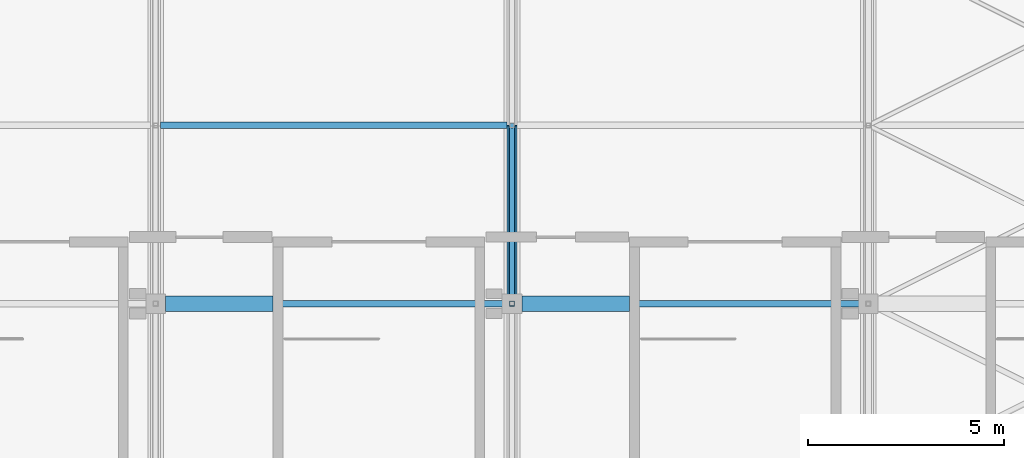
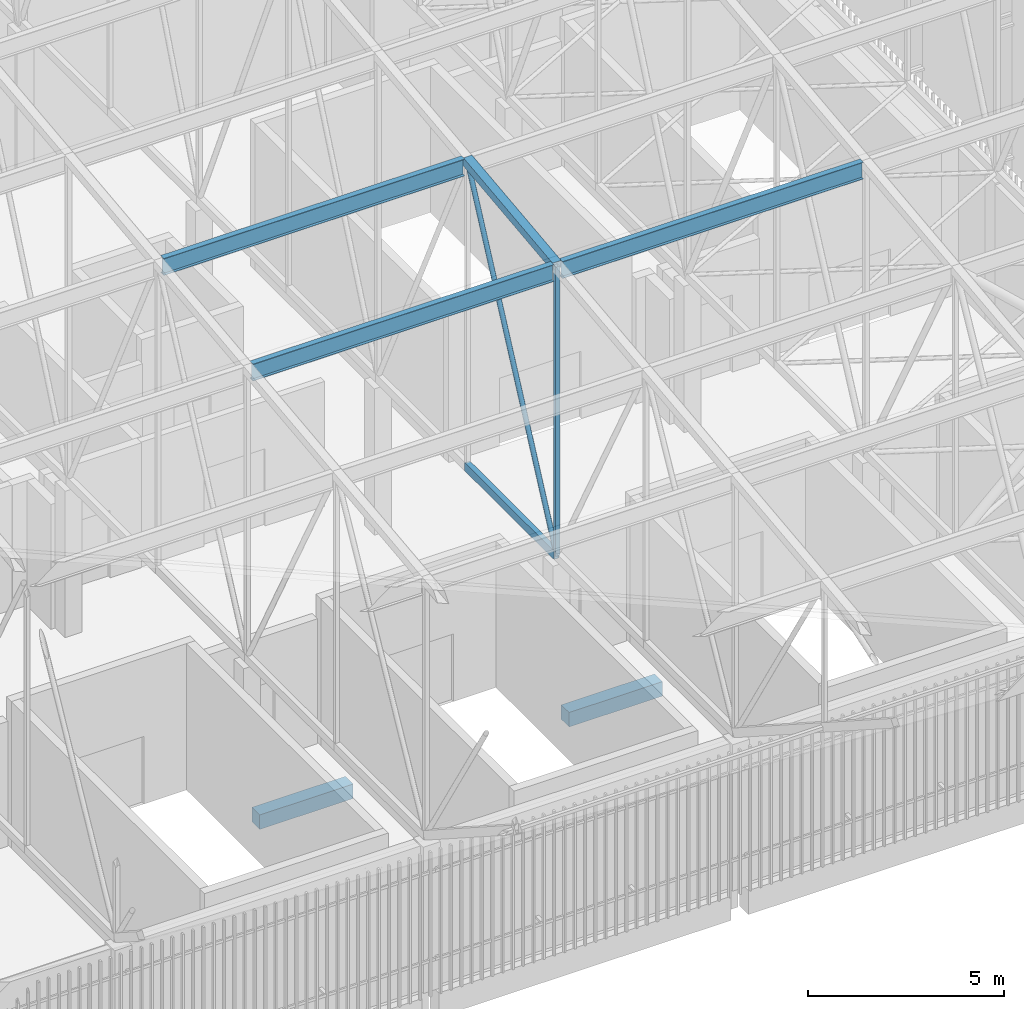
# One storey, part 336 of 500: 7 members, 2 beams.
"""IFC4 building model written with IfcOpenShell, lengths in metres."""

import ifcopenshell
import ifcopenshell.guid

model = None  # the IFC model being written
_history = None  # IfcOwnerHistory: only IFC2X3 demands one
_inside = {}  # id of a spatial element -> (the spatial element, [elements in it])
_under = {}  # id of a project, library or spatial element -> (it, [spatial elements below it])
_declared = {}  # id of a project -> (the project, [libraries it declares])
_typed = {}  # id of a type object -> (the type object, [elements of that type])
_made_of = {}  # id of a material, layer set ... -> (it, [elements and type objects made of it])


def new_model(schema):
    """Start an empty IFC model of exactly this schema.

    Asked for "IFC4X3", IfcOpenShell would pick the latest addendum, in which some entities
    have other attributes; the version numbers below select the first issue.
    IFC2X3 requires an IfcOwnerHistory on every rooted entity: one is made here for all.
    """
    global model, _history
    if schema == "IFC4X3":
        model = ifcopenshell.file(schema_version=(4, 3, 0, 0))
    else:
        model = ifcopenshell.file(schema=schema)
    _inside.clear()
    _under.clear()
    _declared.clear()
    _typed.clear()
    _made_of.clear()
    _history = None
    if model.schema == "IFC2X3":
        org = make("IfcOrganization", Name="unknown")
        user = make(
            "IfcPersonAndOrganization",
            ThePerson=make("IfcPerson", FamilyName="unknown"),
            TheOrganization=org,
        )
        app = make(
            "IfcApplication",
            ApplicationDeveloper=org,
            Version="unknown",
            ApplicationFullName="unknown",
            ApplicationIdentifier="unknown",
        )
        _history = make(
            "IfcOwnerHistory",
            OwningUser=user,
            OwningApplication=app,
            ChangeAction="ADDED",
            CreationDate=0,
        )
    return model


def make(cls, **values):
    """One entity of the class cls with the attributes given. An attribute that is None is left unset."""
    return model.create_entity(
        cls, **{name: value for name, value in values.items() if value is not None}
    )


def rooted(cls, **values):
    """An entity with a GlobalId (a new one), such as an element, a storey or a relation."""
    return make(cls, GlobalId=ifcopenshell.guid.new(), OwnerHistory=_history, **values)


def si_unit(unit_type, name, prefix=None):
    """IfcSIUnit, for example si_unit("LENGTHUNIT", "METRE", prefix="MILLI")."""
    return make("IfcSIUnit", UnitType=unit_type, Prefix=prefix, Name=name)


def assignment(units):
    """IfcUnitAssignment: the units of a project."""
    return None if units is None else make("IfcUnitAssignment", Units=units)


def point(xyz):
    """IfcCartesianPoint."""
    return None if xyz is None else make("IfcCartesianPoint", Coordinates=xyz)


def direction(xyz):
    """IfcDirection."""
    return None if xyz is None else make("IfcDirection", DirectionRatios=xyz)


def frame(location, z_axis=None, x_axis=None):
    """IfcAxis2Placement3D, a coordinate frame: its origin and axes. An axis left out is left unset."""
    return make(
        "IfcAxis2Placement3D",
        Location=point(location),
        Axis=direction(z_axis),
        RefDirection=direction(x_axis),
    )


def frame_2d(location, x_axis=None):
    """IfcAxis2Placement2D, a coordinate frame in the plane: its origin and x axis."""
    return make(
        "IfcAxis2Placement2D", Location=point(location), RefDirection=direction(x_axis)
    )


def origin():
    """The frame at (0, 0, 0) with its axes left unset."""
    return frame((0.0, 0.0, 0.0))


def origin_2d():
    """The frame at (0, 0) in the plane with its x axis left unset."""
    return frame_2d((0.0, 0.0))


def place(relative_to, where):
    """IfcLocalPlacement: puts the frame where relative to a parent placement (None: the world)."""
    return make(
        "IfcLocalPlacement", PlacementRelTo=relative_to, RelativePlacement=where
    )


def context(
    kind, dimensions, precision=None, world=None, true_north=None, identifier=None
):
    """IfcGeometricRepresentationContext, for example the 3D "Model" context."""
    return make(
        "IfcGeometricRepresentationContext",
        ContextIdentifier=identifier,
        ContextType=kind,
        CoordinateSpaceDimension=dimensions,
        Precision=precision,
        WorldCoordinateSystem=world,
        TrueNorth=true_north,
    )


def subcontext(parent, identifier, kind, view, scale=None):
    """IfcGeometricRepresentationSubContext, for example "Body" below "Model"."""
    return make(
        "IfcGeometricRepresentationSubContext",
        ContextIdentifier=identifier,
        ContextType=kind,
        ParentContext=parent,
        TargetScale=scale,
        TargetView=view,
    )


def project(units=None, contexts=None):
    """IfcProject with its units and contexts."""
    return rooted(
        "IfcProject",
        Name="project",
        RepresentationContexts=contexts,
        UnitsInContext=assignment(units),
    )


def spatial(cls, under=None, at=None, **own):
    """A site, building, storey or space (cls), placed at a placement, below another one or the project."""
    s = rooted(cls, ObjectPlacement=at, **own)
    if under is not None:
        _under.setdefault(under.id(), (under, []))[1].append(s)
    return s


def profile(cls, at=None, kind="AREA", **sizes):
    """A parametric profile (cls). Its sizes go by their IFC names, for example OverallWidth=200.0."""
    return make(cls, ProfileType=kind, Position=at, **sizes)


def rectangle(**sizes):
    """IfcRectangleProfileDef."""
    return profile("IfcRectangleProfileDef", **sizes)


def hollow_rectangle(**sizes):
    """IfcRectangleHollowProfileDef."""
    return profile("IfcRectangleHollowProfileDef", **sizes)


def hollow_circle(**sizes):
    """IfcCircleHollowProfileDef."""
    return profile("IfcCircleHollowProfileDef", **sizes)


def i_section(**sizes):
    """IfcIShapeProfileDef."""
    return profile("IfcIShapeProfileDef", **sizes)


def extrude(swept, where, along, depth):
    """IfcExtrudedAreaSolid: the profile swept, set in the frame where, extruded along a direction by depth."""
    return make(
        "IfcExtrudedAreaSolid",
        SweptArea=swept,
        Position=where,
        ExtrudedDirection=direction(along),
        Depth=depth,
    )


def shape(context_of_items, identifier, shape_type, items):
    """IfcShapeRepresentation: the items that make up one representation, for example the "Body"."""
    return make(
        "IfcShapeRepresentation",
        ContextOfItems=context_of_items,
        RepresentationIdentifier=identifier,
        RepresentationType=shape_type,
        Items=items,
    )


def material(Name=None, Category=None):
    """IfcMaterial."""
    return make("IfcMaterial", Name=Name, Category=Category)


def material_profile(
    of_material, cross_section, Name=None, Category=None, Priority=None
):
    """IfcMaterialProfile: a cross section and its material."""
    return make(
        "IfcMaterialProfile",
        Name=Name,
        Material=of_material,
        Profile=cross_section,
        Priority=Priority,
        Category=Category,
    )


def profile_set(profiles, Name=None, composite=None):
    """IfcMaterialProfileSet."""
    return make(
        "IfcMaterialProfileSet",
        Name=Name,
        MaterialProfiles=profiles,
        CompositeProfile=composite,
    )


def made_of(thing, what):
    """Note that an element or type object is made of a material, layer set ...; save() writes the relation."""
    if what is not None:
        _made_of.setdefault(what.id(), (what, []))[1].append(thing)
    return thing


def type_object(cls, material=None, **own):
    """A type object (cls), such as IfcWallType, which elements share."""
    return made_of(rooted(cls, **own), material)


def element(
    cls,
    number,
    at=None,
    inside=None,
    cuts=None,
    type_object=None,
    material=None,
    context=None,
    identifier="Body",
    shape_type=None,
    held_by="IfcProductDefinitionShape",
    body=None,
    shapes=None,
    **own,
):
    """One element of the class cls, such as IfcWall. Its Tag is "e" and its number.

    at: its placement. inside: the storey or other place that contains it. cuts: it is an
    opening in that element (IfcRelVoidsElement). A single representation is given by context,
    identifier, shape_type and body (its items); several are given by shapes. held_by: the class
    of the entity that holds the representations. save() writes the other relations.
    """
    e = rooted(cls, Tag="e%d" % number, ObjectPlacement=at, **own)
    if body is not None:
        shapes = [shape(context, identifier, shape_type, body)]
    if shapes is not None:
        e.Representation = make(held_by, Representations=shapes)
    if inside is not None:
        _inside.setdefault(inside.id(), (inside, []))[1].append(e)
    if cuts is not None:
        rooted(
            "IfcRelVoidsElement", RelatingBuildingElement=cuts, RelatedOpeningElement=e
        )
    if type_object is not None:
        _typed.setdefault(type_object.id(), (type_object, []))[1].append(e)
    return made_of(e, material)


def aggregate(whole, parts):
    """IfcRelAggregates: a whole, such as a stair, and the parts it consists of."""
    return rooted("IfcRelAggregates", RelatingObject=whole, RelatedObjects=parts)


def save(model, path):
    """Write the relations noted so far, then the file.

    IfcRelAggregates (storeys below a building ...), IfcRelContainedInSpatialStructure (elements
    in a storey), IfcRelDefinesByType, IfcRelAssociatesMaterial and IfcRelDeclares: one each for
    every whole, place, type object, material and project.
    """
    for whole, parts in _under.values():
        aggregate(whole, parts)
    for where, things in _inside.values():
        rooted(
            "IfcRelContainedInSpatialStructure",
            RelatedElements=things,
            RelatingStructure=where,
        )
    for kind, things in _typed.values():
        rooted("IfcRelDefinesByType", RelatedObjects=things, RelatingType=kind)
    for what, things in _made_of.values():
        rooted("IfcRelAssociatesMaterial", RelatedObjects=things, RelatingMaterial=what)
    for by, libraries in _declared.values():
        rooted("IfcRelDeclares", RelatingContext=by, RelatedDefinitions=libraries)
    model.write(path)


model = new_model("IFC4")

# Units and contexts
model_context = context("Model", 3, precision=1e-05, world=origin(), true_north=direction((0.0, 1.0)))
body_context = subcontext(model_context, "Body", "Model", "MODEL_VIEW")
ifc_project = project(units=[si_unit("LENGTHUNIT", "METRE"), si_unit("AREAUNIT", "SQUARE_METRE"), si_unit("VOLUMEUNIT", "CUBIC_METRE"), si_unit("PLANEANGLEUNIT", "RADIAN"), si_unit("MASSUNIT", "GRAM", prefix="KILO")], contexts=[model_context])

# Site, building, storey
site_placement = place(None, origin())
site = spatial("IfcSite", under=ifc_project, at=site_placement, CompositionType="ELEMENT")
building_placement = place(site_placement, origin())
building = spatial("IfcBuilding", under=site, at=building_placement, Name="Shirokan Park Arena", CompositionType="ELEMENT")
storey_placement = place(building_placement, frame((0.0, 0.0, 29.1201171875)))
storey = spatial("IfcBuildingStorey", under=building, at=storey_placement, Name="L06", CompositionType="ELEMENT", Elevation=29.1201171875)

# Members
ifc_material_1 = material(Name="Steel ASTM A500 Grade C", Category="steel")
ifc_material_profile_1 = material_profile(ifc_material_1, hollow_rectangle(XDim=0.152099609375, YDim=0.25390625, WallThickness=0.009521484375, at=origin_2d()), Name="HSS254X152.4X9.5")
ifc_profile_set_1 = profile_set([ifc_material_profile_1], Name="Steel ASTM A500 Grade C")
member_type_1 = type_object("IfcMemberType", Name="Bottom chord HSS254X152.4X9.5", PredefinedType="CHORD", material=ifc_profile_set_1)
member_1_placement = place(storey_placement, frame((127.39990234375, 9.10009765625, 4.677001953125), z_axis=(0.0, 1.0, 0.0), x_axis=(-1.0, 0.0, 0.0)))
element("IfcMember", 1, at=member_1_placement, inside=storey, type_object=member_type_1, Name="Truss T15 bottom chord 5", PredefinedType="CHORD", context=body_context, shape_type="SweptSolid", body=[
    extrude(hollow_rectangle(XDim=0.152099609375, YDim=0.25390625, WallThickness=0.009521484375, at=origin_2d()), origin(), (0.0, 0.0, 1.0), 4.5498046875),
])
ifc_material_2 = material(Name="Steel ASTM A992", Category="steel")
ifc_material_profile_2 = material_profile(ifc_material_2, i_section(OverallWidth=0.166015625, OverallDepth=0.528076171875, WebThickness=0.009765625, FlangeThickness=0.013671875, at=origin_2d()), Name="W530X74")
ifc_profile_set_2 = profile_set([ifc_material_profile_2], Name="Steel ASTM A992")
member_type_2 = type_object("IfcMemberType", Name="Purlin W530X74", PredefinedType="PURLIN", material=ifc_profile_set_2)
for number, where, z_axis, x_axis, name in (
    (2, (118.427001953125, 9.10009765625, 13.52587890625), (1.0, 0.0, 0.0), (0.0, 1.0, 0.0), "Purlin 5 bay 14"),
    (3, (127.527099609375, 9.10009765625, 13.52587890625), (1.0, 0.0, 0.0), (0.0, 1.0, 0.0), "Purlin 5 bay 15"),
    (4, (118.427001953125, 13.64990234375, 14.0458984375), (1.0, 0.0, 0.0), (0.0, 1.0, 0.0), "Purlin 6 bay 14"),
):
    element("IfcMember", number, at=place(storey_placement, frame(where, z_axis=z_axis, x_axis=x_axis)), inside=storey, type_object=member_type_2, Name=name, PredefinedType="PURLIN", context=body_context, shape_type="SweptSolid", body=[
        extrude(i_section(OverallWidth=0.166015625, OverallDepth=0.528076171875, WebThickness=0.009765625, FlangeThickness=0.013671875, at=origin_2d()), origin(), (0.0, 0.0, 1.0), 8.845947265625),
    ])

# Beams
ifc_material_3 = material(Name="Concrete C35", Category="concrete")
ifc_material_profile_3 = material_profile(ifc_material_3, rectangle(XDim=0.39990234375, YDim=0.449951171875, at=origin_2d()), Name="400x450")
ifc_profile_set_3 = profile_set([ifc_material_profile_3], Name="Concrete C35")
beam_type = type_object("IfcBeamType", Name="RC trimmer 400x450", PredefinedType="BEAM", material=ifc_profile_set_3)
beam_1_placement = place(storey_placement, frame((118.550048828125, 9.10009765625, -0.425048828125), z_axis=(1.0, 0.0, 0.0), x_axis=(0.0, 1.0, 0.0)))
element("IfcBeam", 5, at=beam_1_placement, inside=storey, type_object=beam_type, Name="Girder 14B-15B L06", PredefinedType="BEAM", context=body_context, shape_type="SweptSolid", body=[
    extrude(rectangle(XDim=0.39990234375, YDim=0.449951171875, at=origin_2d()), origin(), (0.0, 0.0, 1.0), 2.75),
])
beam_2_placement = place(storey_placement, frame((127.650146484375, 9.10009765625, -0.425048828125), z_axis=(1.0, 0.0, 0.0), x_axis=(0.0, 1.0, 0.0)))
element("IfcBeam", 6, at=beam_2_placement, inside=storey, type_object=beam_type, Name="Girder 15B-16B L06", PredefinedType="BEAM", context=body_context, shape_type="SweptSolid", body=[
    extrude(rectangle(XDim=0.39990234375, YDim=0.449951171875, at=origin_2d()), origin(), (0.0, 0.0, 1.0), 2.749755859375),
])

# Members
ifc_material_profile_4 = material_profile(ifc_material_1, hollow_rectangle(XDim=0.25390625, YDim=0.25390625, WallThickness=0.009521484375, at=origin_2d()), Name="HSS254X254X9.5")
ifc_profile_set_4 = profile_set([ifc_material_profile_4], Name="Steel ASTM A500 Grade C")
member_type_3 = type_object("IfcMemberType", Name="Top chord HSS254X254X9.5", PredefinedType="CHORD", material=ifc_profile_set_4)
member_2_placement = place(storey_placement, frame((127.39990234375, 9.10009765625, 13.662841796875), z_axis=(0.0, 0.993531641592, 0.11355561261), x_axis=(-1.0, 0.0, 0.0)))
element("IfcMember", 7, at=member_2_placement, inside=storey, type_object=member_type_3, Name="Truss T15 top chord 5", PredefinedType="CHORD", context=body_context, shape_type="SweptSolid", body=[
    extrude(hollow_rectangle(XDim=0.25390625, YDim=0.25390625, WallThickness=0.009521484375, at=origin_2d()), origin(), (0.0, 0.0, 1.0), 4.579345703125),
])
ifc_material_profile_5 = material_profile(ifc_material_1, hollow_circle(Radius=0.070556640625, WallThickness=0.006591796875, at=origin_2d()), Name="HSS141.3X6.6")
ifc_profile_set_5 = profile_set([ifc_material_profile_5], Name="Steel ASTM A500 Grade C")
member_type_4 = type_object("IfcMemberType", Name="Truss diagonal HSS141.3X6.6", PredefinedType="BRACE", material=ifc_profile_set_5)
member_3_placement = place(storey_placement, frame((127.39990234375, 9.10009765625, 4.677001953125), z_axis=(0.0, 0.431727628527, 0.90200402148), x_axis=(-1.0, 0.0, 0.0)))
element("IfcMember", 8, at=member_3_placement, inside=storey, type_object=member_type_4, Name="Truss T15 diagonal 5", PredefinedType="BRACE", context=body_context, shape_type="SweptSolid", body=[
    extrude(hollow_circle(Radius=0.070556640625, WallThickness=0.006591796875, at=origin_2d()), origin(), (0.0, 0.0, 1.0), 10.53857421875),
])
ifc_material_profile_6 = material_profile(ifc_material_1, hollow_rectangle(XDim=0.126953125, YDim=0.126953125, WallThickness=0.008056640625, at=origin_2d()), Name="HSS127X127X7.9")
ifc_profile_set_6 = profile_set([ifc_material_profile_6], Name="Steel ASTM A500 Grade C")
member_type_5 = type_object("IfcMemberType", Name="Truss post HSS127X127X7.9", PredefinedType="POST", material=ifc_profile_set_6)
member_4_placement = place(storey_placement, frame((127.39990234375, 9.10009765625, 4.677001953125), z_axis=(0.0, 0.0, 1.0), x_axis=(1.0, 0.0, 0.0)))
element("IfcMember", 9, at=member_4_placement, inside=storey, type_object=member_type_5, Name="Truss T15 post 5", PredefinedType="POST", context=body_context, shape_type="SweptSolid", body=[
    extrude(hollow_rectangle(XDim=0.126953125, YDim=0.126953125, WallThickness=0.008056640625, at=origin_2d()), origin(), (0.0, 0.0, 1.0), 8.98583984375),
])

save(model, "model.ifc")
